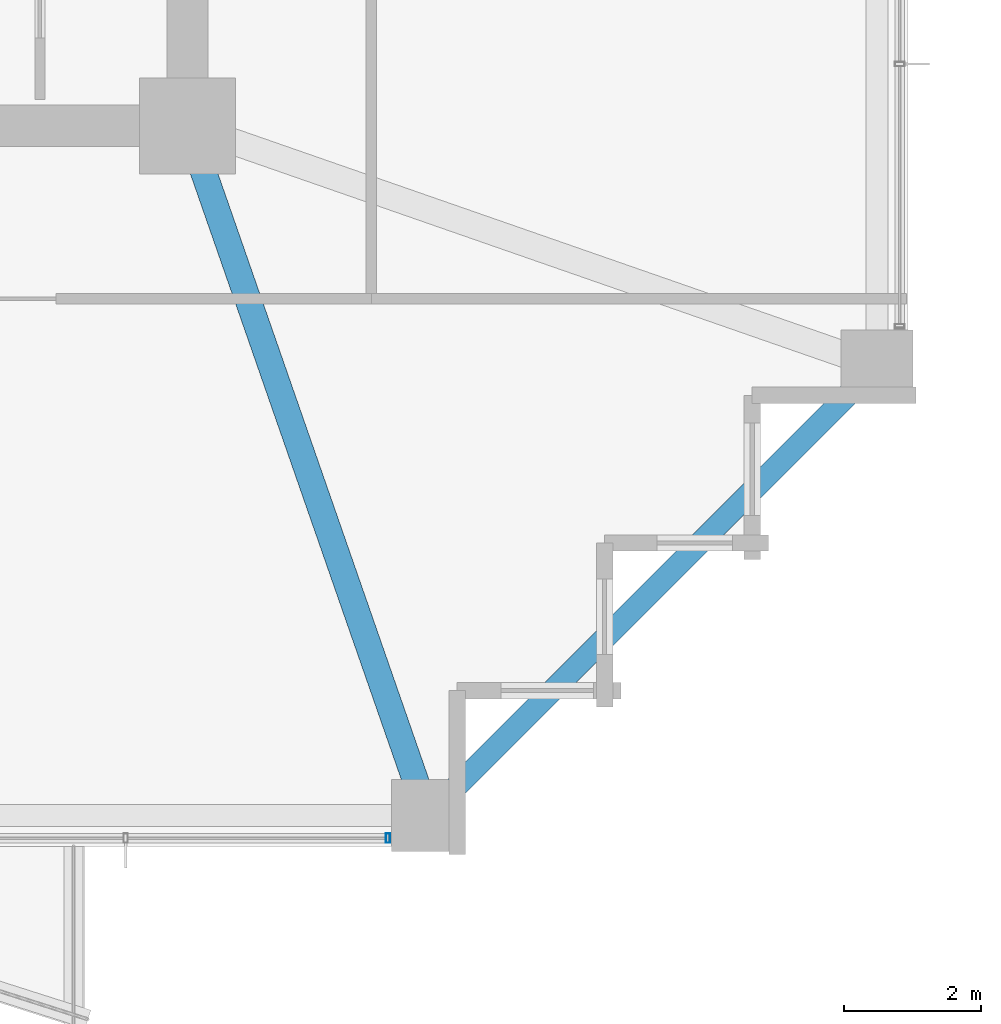
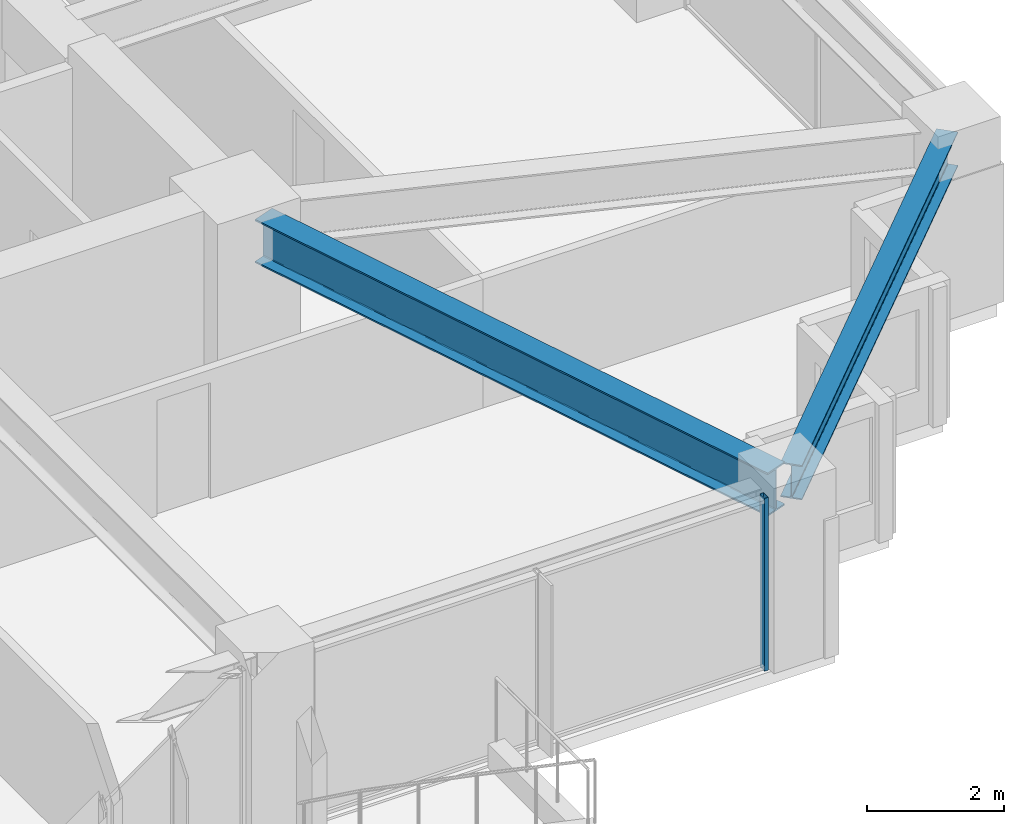
# One storey, part 13 of 38: 2 beams, 1 member, 1 element without a shape of its own.
"""IFC4 building model written with IfcOpenShell, lengths in metres."""

from ifc_helpers import new_model, si_unit, direction, frame, origin, origin_2d, place, context, subcontext, project, spatial, hollow_rectangle, i_section, extrude, material, material_profile, profile_set, type_object, element, aggregate, save


model = new_model("IFC4")

# Units and contexts
model_context = context("Model", 3, precision=1e-05, world=origin(), true_north=direction((0.0, 1.0)))
body_context = subcontext(model_context, "Body", "Model", "MODEL_VIEW")
ifc_project = project(units=[si_unit("LENGTHUNIT", "METRE"), si_unit("AREAUNIT", "SQUARE_METRE"), si_unit("VOLUMEUNIT", "CUBIC_METRE"), si_unit("PLANEANGLEUNIT", "RADIAN"), si_unit("MASSUNIT", "GRAM", prefix="KILO")], contexts=[model_context])

# Site, building, storey
site_placement = place(None, origin())
site = spatial("IfcSite", under=ifc_project, at=site_placement, CompositionType="ELEMENT")
building_placement = place(site_placement, origin())
building = spatial("IfcBuilding", under=site, at=building_placement, Name="Kolvaren Belvedere", CompositionType="ELEMENT")
storey_placement = place(building_placement, frame((0.0, 0.0, 72.199951171875)))
storey = spatial("IfcBuildingStorey", under=building, at=storey_placement, Name="L20", CompositionType="ELEMENT", Elevation=72.199951171875)

# Beams
ifc_material_1 = material(Name="Structural steel ASTM A992 Grade 50", Category="steel")
ifc_material_profile_1 = material_profile(ifc_material_1, i_section(OverallWidth=0.381103515625, OverallDepth=0.77294921875, WebThickness=0.0166015625, FlangeThickness=0.027099609375, FilletRadius=0.02392578125, at=origin_2d()), Name="W30X173")
ifc_profile_set_1 = profile_set([ifc_material_profile_1], Name="Structural steel ASTM A992 Grade 50")
beam_type_1 = type_object("IfcBeamType", Name="BM-GIRD-W30X173", PredefinedType="BEAM", material=ifc_profile_set_1)
beam_1_placement = place(storey_placement, frame((10.080810546875, -10.41943359375, 2.693603515625), z_axis=(0.328880894453, -0.944371408538, 0.0), x_axis=(0.944371408538, 0.328880894453, 0.0)))
element("IfcBeam", 1, at=beam_1_placement, inside=storey, type_object=beam_type_1, Name="L20 Corner Core-to-Perimeter Girder CC2-S4", PredefinedType="BEAM", context=body_context, shape_type="SweptSolid", body=[
    extrude(i_section(OverallWidth=0.381103515625, OverallDepth=0.77294921875, WebThickness=0.0166015625, FlangeThickness=0.027099609375, FilletRadius=0.02392578125, at=origin_2d()), origin(), (0.0, 0.0, 1.0), 9.882080078125),
])
ifc_material_2 = material(Name="Structural steel ASTM A992 Grade 50", Category="steel")
ifc_material_profile_2 = material_profile(ifc_material_2, i_section(OverallWidth=0.324951171875, OverallDepth=0.615966796875, WebThickness=0.013916015625, FlangeThickness=0.021484375, FilletRadius=0.02001953125, at=origin_2d()), Name="W24X117")
ifc_profile_set_2 = profile_set([ifc_material_profile_2], Name="Structural steel ASTM A992 Grade 50")
beam_type_2 = type_object("IfcBeamType", Name="BM-SPAN-W24X117", PredefinedType="SPANDREL", material=ifc_profile_set_2)
beam_2_placement = place(storey_placement, frame((13.567138671875, -19.782958984375, 2.77197265625), z_axis=(0.707106781187, 0.707106781187, 0.0), x_axis=(-0.707106781187, 0.707106781187, 0.0)))
element("IfcBeam", 2, at=beam_2_placement, inside=storey, type_object=beam_type_2, Name="L20 Perimeter Spandrel S4-E1", PredefinedType="SPANDREL", context=body_context, shape_type="SweptSolid", body=[
    extrude(i_section(OverallWidth=0.324951171875, OverallDepth=0.615966796875, WebThickness=0.013916015625, FlangeThickness=0.021484375, FilletRadius=0.02001953125, at=origin_2d()), origin(), (0.0, 0.0, 1.0), 8.79052734375),
])

# Curtain wall, member
ifc_material_3 = material(Name="Anodised pale-metal aluminium AA 6063-T6", Category="aluminium")
curtain_wall_type = type_object("IfcCurtainWallType", Name="CW-Z2-MID", PredefinedType="NOTDEFINED", material=ifc_material_3)
curtain_wall_placement = place(storey_placement, origin())
curtain_wall = element("IfcCurtainWall", 3, at=curtain_wall_placement, inside=storey, type_object=curtain_wall_type, Name="L20 Unitised Curtain Wall FCW-L20-S1-B1", PredefinedType="NOTDEFINED")
ifc_material_4 = material(Name="Anodised pale-metal aluminium AA 6063-T6", Category="aluminium")
ifc_material_profile_3 = material_profile(ifc_material_4, hollow_rectangle(XDim=0.06494140625, YDim=0.139892578125, WallThickness=0.00390625, at=origin_2d()), Name="ALU-MUL-140X65")
ifc_profile_set_3 = profile_set([ifc_material_profile_3], Name="Anodised pale-metal aluminium AA 6063-T6")
member_type = type_object("IfcMemberType", Name="CW-MUL-140", PredefinedType="MULLION", material=ifc_profile_set_3)
member_placement = place(storey_placement, frame((12.822509765625, -20.280029296875, 0.0), z_axis=(0.0, 0.0, 1.0), x_axis=(1.0, 0.0, 0.0)))
member = element("IfcMember", 4, at=member_placement, type_object=member_type, Name="FCW-L20-S1-B1 Unitised Mullion 1", PredefinedType="MULLION", context=body_context, shape_type="SweptSolid", body=[
    extrude(hollow_rectangle(XDim=0.06494140625, YDim=0.139892578125, WallThickness=0.00390625, at=origin_2d()), origin(), (0.0, 0.0, 1.0), 3.080078125),
])
aggregate(curtain_wall, [member])

save(model, "model.ifc")
